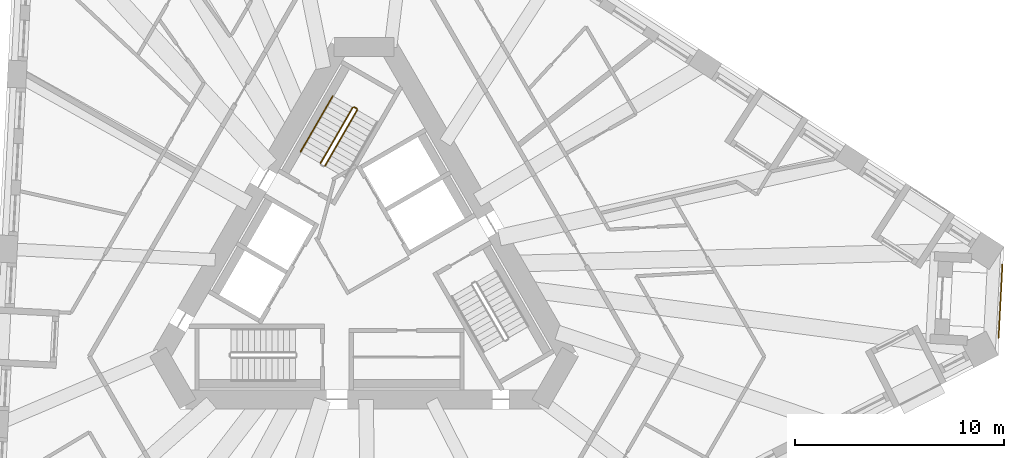
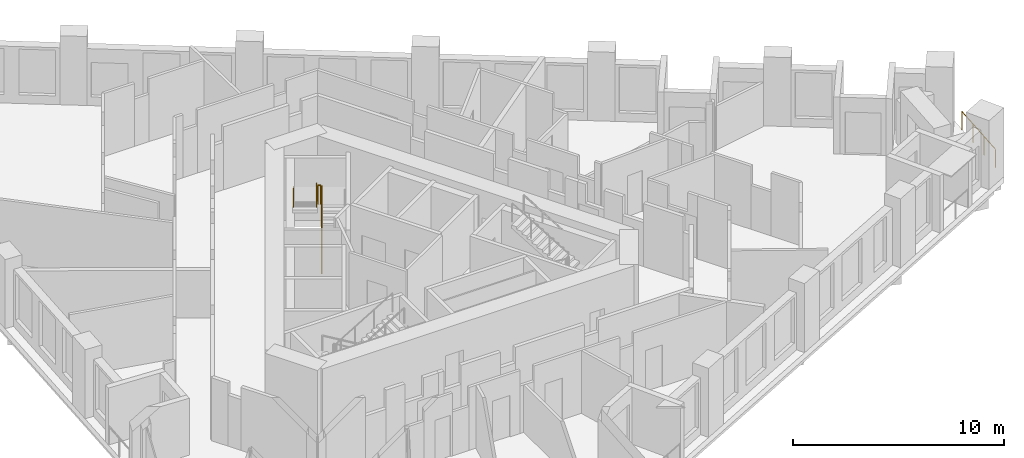
# One storey, part 12 of 13: 5 railings.
"""IFC4 building model written with IfcOpenShell, lengths in metres."""

from ifc_helpers import new_model, si_unit, direction, frame, origin, origin_2d, place, context, subcontext, project, spatial, circle, extrude, material, type_object, element, save


model = new_model("IFC4")

# Units and contexts
model_context = context("Model", 3, precision=1e-05, world=origin(), true_north=direction((0.0, 1.0)))
body_context = subcontext(model_context, "Body", "Model", "MODEL_VIEW")
ifc_project = project(units=[si_unit("LENGTHUNIT", "METRE"), si_unit("AREAUNIT", "SQUARE_METRE"), si_unit("VOLUMEUNIT", "CUBIC_METRE"), si_unit("PLANEANGLEUNIT", "RADIAN"), si_unit("MASSUNIT", "GRAM", prefix="KILO")], contexts=[model_context])

# Site, building, storey
site_placement = place(None, origin())
site = spatial("IfcSite", under=ifc_project, at=site_placement, CompositionType="ELEMENT")
building_placement = place(site_placement, origin())
building = spatial("IfcBuilding", under=site, at=building_placement, Name="Tramontana Tower", CompositionType="ELEMENT")
storey_placement = place(building_placement, frame((0.0, 0.0, 149.60009765625)))
storey = spatial("IfcBuildingStorey", under=building, at=storey_placement, Name="L34", CompositionType="ELEMENT", Elevation=149.60009765625)

# Railings
ifc_material_1 = material(Name="Laminated glass balustrade", Category="glass")
railing_type_1 = type_object("IfcRailingType", Name="GD1 Loggia glass balustrade 1100", PredefinedType="BALUSTRADE", material=ifc_material_1)
railing_1_placement = place(storey_placement, frame((30.519775390625, 0.15283203125, 0.0)))
element("IfcRailing", 1, at=railing_1_placement, inside=storey, type_object=railing_type_1, Name="Corner loggia balustrade L34 K32", PredefinedType="BALUSTRADE", context=body_context, shape_type="SweptSolid", body=[
    extrude(circle(Radius=0.02392578125, at=origin_2d()), frame((0.0, 0.0, 1.076171875), z_axis=(-0.052317189757, -0.998630518088, 0.0), x_axis=(0.998630518088, -0.052317189757, 0.0)), (0.0, 0.0, 1.0), 3.5),
    extrude(circle(Radius=0.02099609375, at=origin_2d()), origin(), (0.0, 0.0, 1.0), 1.052001953125),
    extrude(circle(Radius=0.02099609375, at=origin_2d()), frame((-0.06103515625, -1.1650390625, 0.0)), (0.0, 0.0, 1.0), 1.052001953125),
    extrude(circle(Radius=0.02099609375, at=origin_2d()), frame((-0.1220703125, -2.330078125, 0.0)), (0.0, 0.0, 1.0), 1.052001953125),
    extrude(circle(Radius=0.02099609375, at=origin_2d()), frame((-0.18310546875, -3.4951171875, 0.0)), (0.0, 0.0, 1.0), 1.052001953125),
])
ifc_material_2 = material(Name="Painted steel", Category="steel")
railing_type_2 = type_object("IfcRailingType", Name="STAIR GUARD 1100", PredefinedType="GUARDRAIL", material=ifc_material_2)
railing_2_placement = place(storey_placement, frame((-1.867431640625, 4.865478515625, 0.16650390625)))
element("IfcRailing", 2, at=railing_2_placement, inside=storey, type_object=railing_type_2, Name="L34 ST1 stair guard 1", PredefinedType="GUARDRAIL", context=body_context, shape_type="SweptSolid", body=[
    extrude(circle(Radius=0.02392578125, at=origin_2d()), frame((0.0, 0.0, 1.076171875), z_axis=(0.429634447492, 0.7441639146, 0.511502013422), x_axis=(-0.866029832698, 0.499992328818, 0.0)), (0.0, 0.0, 1.0), 3.58447265625),
    extrude(circle(Radius=0.02099609375, at=origin_2d()), origin(), (0.0, 0.0, 1.0), 1.052001953125),
    extrude(circle(Radius=0.02099609375, at=origin_2d()), frame((0.513427734375, 0.88916015625, 0.611083984375)), (0.0, 0.0, 1.0), 1.052001953125),
    extrude(circle(Radius=0.02099609375, at=origin_2d()), frame((1.026611328125, 1.7783203125, 1.222412109375)), (0.0, 0.0, 1.0), 1.052001953125),
    extrude(circle(Radius=0.02099609375, at=origin_2d()), frame((1.5400390625, 2.66748046875, 1.83349609375)), (0.0, 0.0, 1.0), 1.052001953125),
])
railing_3_placement = place(storey_placement, frame((-0.5439453125, 7.657958984375, 2.16650390625)))
element("IfcRailing", 3, at=railing_3_placement, inside=storey, type_object=railing_type_2, Name="L34 ST1 stair guard 2", PredefinedType="GUARDRAIL", context=body_context, shape_type="SweptSolid", body=[
    extrude(circle(Radius=0.02392578125, at=origin_2d()), frame((0.0, 0.0, 1.076171875), z_axis=(-0.429634447492, -0.7441639146, 0.511502013422), x_axis=(0.866029832698, -0.499992328818, 0.0)), (0.0, 0.0, 1.0), 3.58447265625),
    extrude(circle(Radius=0.02099609375, at=origin_2d()), origin(), (0.0, 0.0, 1.0), 1.052001953125),
    extrude(circle(Radius=0.02099609375, at=origin_2d()), frame((-0.513427734375, -0.88916015625, 0.611083984375)), (0.0, 0.0, 1.0), 1.052001953125),
    extrude(circle(Radius=0.02099609375, at=origin_2d()), frame((-1.026611328125, -1.7783203125, 1.222412109375)), (0.0, 0.0, 1.0), 1.052001953125),
    extrude(circle(Radius=0.02099609375, at=origin_2d()), frame((-1.5400390625, -2.66748046875, 1.83349609375)), (0.0, 0.0, 1.0), 1.052001953125),
])
railing_4_placement = place(storey_placement, frame((-0.345703125, 7.601318359375, 2.0)))
element("IfcRailing", 4, at=railing_4_placement, inside=storey, type_object=railing_type_2, Name="L34 ST1 stair guard 3", PredefinedType="GUARDRAIL", context=body_context, shape_type="SweptSolid", body=[
    extrude(circle(Radius=0.02392578125, at=origin_2d()), frame((0.0, 0.0, 1.076171875), z_axis=(-0.866131372301, 0.499816412211, 0.0), x_axis=(-0.499816412211, -0.866131372301, 0.0)), (0.0, 0.0, 1.0), 0.14990234375),
    extrude(circle(Radius=0.02099609375, at=origin_2d()), origin(), (0.0, 0.0, 1.0), 1.052001953125),
    extrude(circle(Radius=0.02099609375, at=origin_2d()), frame((-0.1298828125, 0.074951171875, 0.0)), (0.0, 0.0, 1.0), 1.052001953125),
])
ifc_material_3 = material(Name="Painted steel", Category="steel")
railing_type_3 = type_object("IfcRailingType", Name="STAIR HANDRAIL 900", PredefinedType="HANDRAIL", material=ifc_material_3)
railing_5_placement = place(storey_placement, frame((-1.49658203125, 8.2080078125, 2.16650390625)))
element("IfcRailing", 5, at=railing_5_placement, inside=storey, type_object=railing_type_3, Name="L34 ST1 stair handrail 2", PredefinedType="HANDRAIL", context=body_context, shape_type="SweptSolid", body=[
    extrude(circle(Radius=0.02392578125, at=origin_2d()), frame((0.0, 0.0, 0.8759765625), z_axis=(-0.429634447492, -0.7441639146, 0.511502013422), x_axis=(0.866029832698, -0.499992328818, 0.0)), (0.0, 0.0, 1.0), 3.58447265625),
    extrude(circle(Radius=0.02099609375, at=origin_2d()), origin(), (0.0, 0.0, 1.0), 0.851806640625),
    extrude(circle(Radius=0.02099609375, at=origin_2d()), frame((-0.513427734375, -0.88916015625, 0.611083984375)), (0.0, 0.0, 1.0), 0.851806640625),
    extrude(circle(Radius=0.02099609375, at=origin_2d()), frame((-1.026611328125, -1.7783203125, 1.222412109375)), (0.0, 0.0, 1.0), 0.851806640625),
    extrude(circle(Radius=0.02099609375, at=origin_2d()), frame((-1.5400390625, -2.66748046875, 1.83349609375)), (0.0, 0.0, 1.0), 0.851806640625),
])

save(model, "model.ifc")
